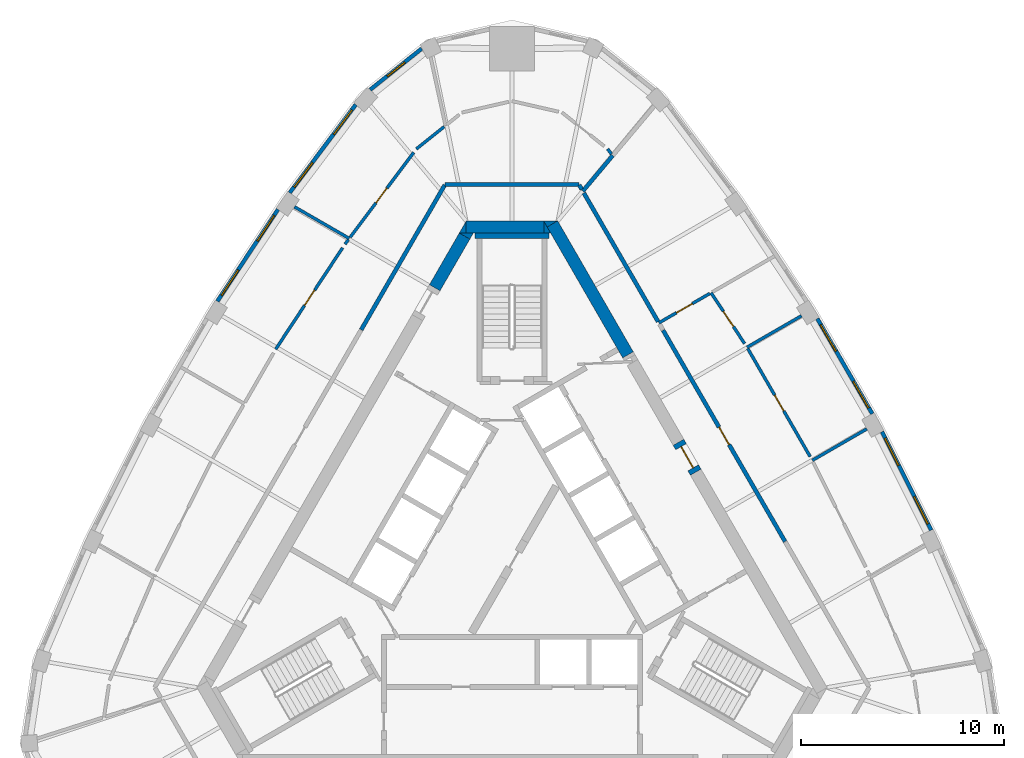
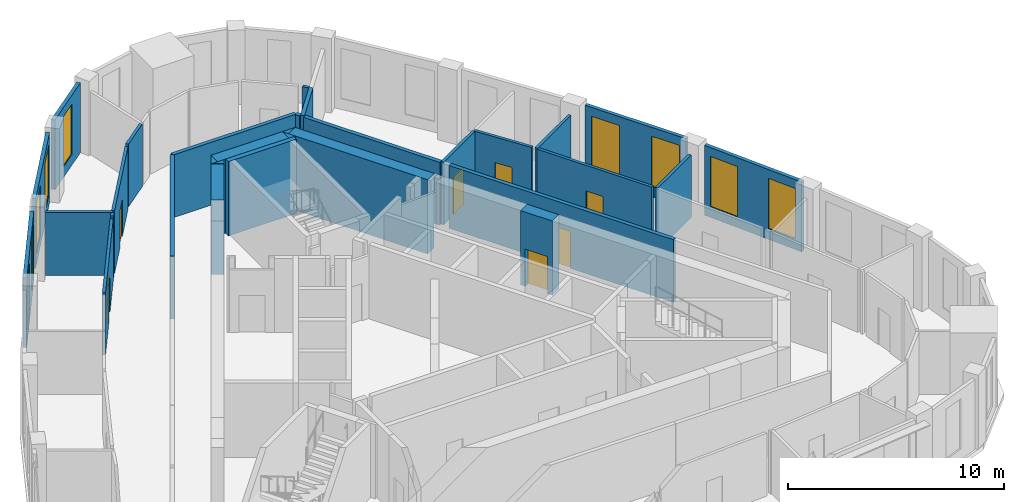
# One storey, part 8 of 10: 31 walls, 9 windows, 7 doors, 16 openings.
"""IFC4 building model written with IfcOpenShell, lengths in metres."""

from ifc_helpers import new_model, si_unit, direction, frame, frame_2d, origin, place, context, subcontext, project, spatial, polyline, rectangle, outline, extrude, material, layer, layer_set, type_object, element, fill, save


model = new_model("IFC4")

# Units and contexts
model_context = context("Model", 3, precision=1e-05, world=origin(), true_north=direction((0.0, 1.0)))
body_context = subcontext(model_context, "Body", "Model", "MODEL_VIEW")
ifc_project = project(units=[si_unit("LENGTHUNIT", "METRE"), si_unit("AREAUNIT", "SQUARE_METRE"), si_unit("VOLUMEUNIT", "CUBIC_METRE"), si_unit("PLANEANGLEUNIT", "RADIAN"), si_unit("MASSUNIT", "GRAM", prefix="KILO")], contexts=[model_context])

# Site, building, storey
site_placement = place(None, origin())
site = spatial("IfcSite", under=ifc_project, at=site_placement, CompositionType="ELEMENT")
building_placement = place(site_placement, origin())
building = spatial("IfcBuilding", under=site, at=building_placement, Name="Mestral Congress Tower", CompositionType="ELEMENT")
storey_placement = place(building_placement, frame((0.0, 0.0, 267.0)))
storey = spatial("IfcBuildingStorey", under=building, at=storey_placement, Name="L62", CompositionType="ELEMENT", Elevation=267.0)

# Walls
ifc_material_1 = material(Name="Concrete C60/75", Category="concrete")
ifc_layer_1 = layer(ifc_material_1, 0.60009765625)
ifc_layer_set_1 = layer_set([ifc_layer_1], Name="Concrete C60/75")
wall_type_1 = type_object("IfcWallType", Name="Core wall RC 600", PredefinedType="SOLIDWALL", material=ifc_layer_set_1)
wall_1_placement = place(storey_placement, frame((1.98876953125, 16.45556640625, 0.0), z_axis=(0.0, 0.0, 1.0), x_axis=(0.499990476767, -0.866030901956, 0.0)))
element("IfcWall", 1, at=wall_1_placement, inside=storey, type_object=wall_type_1, Name="L62 core wall", PredefinedType="SOLIDWALL", context=body_context, shape_type="SweptSolid", body=[
    extrude(rectangle(XDim=7.438232421875, YDim=0.60009765625, at=frame_2d((3.71923828125, 0.0))), origin(), (0.0, 0.0, 1.0), 4.199951171875),
])
placement = place(storey_placement, origin())
element("IfcWall", 2, at=placement, inside=storey, type_object=wall_type_1, Name="L62 core wall", PredefinedType="SOLIDWALL", context=body_context, shape_type="SweptSolid", body=[
    extrude(outline(polyline([(1.558837890625, 16.60009765625), (2.23486328125, 16.60009765625), (1.727783203125, 16.307373046875), (1.558837890625, 16.60009765625)])), origin(), (0.0, 0.0, 1.0), 4.199951171875),
])
wall_3_placement = place(storey_placement, frame((-2.258056640625, 16.300048828125, 0.0), z_axis=(0.0, 0.0, 1.0), x_axis=(1.0, 0.0, 0.0)))
element("IfcWall", 3, at=wall_3_placement, inside=storey, type_object=wall_type_1, Name="L62 core wall", PredefinedType="SOLIDWALL", context=body_context, shape_type="SweptSolid", body=[
    extrude(rectangle(XDim=3.8232421875, YDim=0.60009765625, at=frame_2d((1.91162109375, 0.0))), origin(), (0.0, 0.0, 1.0), 4.199951171875),
])
element("IfcWall", 4, at=placement, inside=storey, type_object=wall_type_1, Name="L62 core wall", PredefinedType="SOLIDWALL", context=body_context, shape_type="SweptSolid", body=[
    extrude(outline(polyline([(1.9052734375, 16.0), (1.5673828125, 16.0), (1.5673828125, 16.58544921875), (1.9052734375, 16.0)])), origin(), (0.0, 0.0, 1.0), 4.199951171875),
])
element("IfcWall", 5, at=placement, inside=storey, type_object=wall_type_1, Name="L62 core wall", PredefinedType="SOLIDWALL", context=body_context, shape_type="SweptSolid", body=[
    extrude(outline(polyline([(-2.59814453125, 16.0), (-2.260009765625, 16.58544921875), (-2.260009765625, 16.0), (-2.59814453125, 16.0)])), origin(), (0.0, 0.0, 1.0), 4.199951171875),
])
wall_6_placement = place(storey_placement, frame((-2.335205078125, 15.85546875, 0.0), z_axis=(0.0, 0.0, 1.0), x_axis=(-0.499960127962, -0.866048422692, 0.0)))
element("IfcWall", 6, at=wall_6_placement, inside=storey, type_object=wall_type_1, Name="L62 core wall", PredefinedType="SOLIDWALL", context=body_context, shape_type="SweptSolid", body=[
    extrude(rectangle(XDim=2.934326171875, YDim=0.60009765625, at=frame_2d((1.46728515625, 0.0))), origin(), (0.0, 0.0, 1.0), 4.199951171875),
])
element("IfcWall", 7, at=placement, inside=storey, type_object=wall_type_1, Name="L62 core wall", PredefinedType="SOLIDWALL", context=body_context, shape_type="SweptSolid", body=[
    extrude(outline(polyline([(-1.9052734375, 16.0), (-2.07421875, 15.707275390625), (-2.581298828125, 16.0), (-1.9052734375, 16.0)])), origin(), (0.0, 0.0, 1.0), 4.199951171875),
])

# Wall, opening, door
wall_8_placement = place(storey_placement, frame((8.19189453125, 5.711181640625, 0.0), z_axis=(0.0, 0.0, 1.0), x_axis=(0.500062241894, -0.865989465428, 0.0)))
wall_8 = element("IfcWall", 8, at=wall_8_placement, inside=storey, type_object=wall_type_1, Name="L62 door wall", PredefinedType="SOLIDWALL", context=body_context, shape_type="SweptSolid", body=[
    extrude(rectangle(XDim=1.699951171875, YDim=0.60009765625, at=frame_2d((0.85009765625, 0.0))), origin(), (0.0, 0.0, 1.0), 4.199951171875),
])
opening_1_placement = place(wall_8_placement, frame((0.25, 0.0, 0.0)))
opening_1 = element("IfcOpeningElement", 9, at=opening_1_placement, cuts=wall_8, Name="Opening XDL", PredefinedType="OPENING", context=body_context, shape_type="SweptSolid", body=[
    extrude(rectangle(XDim=1.199951171875, YDim=2.10009765625, at=frame_2d((0.60009765625, 1.050048828125))), frame((0.0, 0.31005859375, 0.0), z_axis=(0.0, -1.0, 0.0), x_axis=(1.0, 0.0, 0.0)), (0.0, 0.0, 1.0), 0.6201171875),
])
ifc_material_2 = material(Name="Fire-rated steel door set", Category="steel")
door_type_1 = type_object("IfcDoorType", Name="Core door XD 1200x2100", OperationType="SINGLE_SWING_LEFT", PredefinedType="DOOR", material=ifc_material_2)
door_1_placement = place(opening_1_placement, origin())
door_1 = element("IfcDoor", 10, at=door_1_placement, inside=storey, type_object=door_type_1, Name="Door XDL", OperationType="SINGLE_SWING_LEFT", OverallHeight=2.10009765625, OverallWidth=1.199951171875, PredefinedType="DOOR", context=body_context, shape_type="SweptSolid", body=[
    extrude(rectangle(XDim=1.199951171875, YDim=2.10009765625, at=frame_2d((0.60009765625, 1.050048828125))), frame((0.0, 0.02490234375, 0.0), z_axis=(0.0, -1.0, 0.0), x_axis=(1.0, 0.0, 0.0)), (0.0, 0.0, 1.0), 0.050048828125),
])
fill(opening_1, door_1)

# Wall, openings, windows
ifc_material_3 = material(Name="Precast concrete C40/50 with limestone facing", Category="masonry")
ifc_layer_2 = layer(ifc_material_3, 0.18994140625)
ifc_layer_set_2 = layer_set([ifc_layer_2], Name="Precast concrete C40/50 with limestone facing")
wall_type_2 = type_object("IfcWallType", Name="Facade stone wall 190", PredefinedType="SOLIDWALL", material=ifc_layer_set_2)
wall_9_placement = place(storey_placement, frame((20.625, 1.39208984375, 0.0), z_axis=(0.0, 0.0, 1.0), x_axis=(-0.447484531401, 0.894291671747, 0.0)))
wall_9 = element("IfcWall", 11, at=wall_9_placement, inside=storey, type_object=wall_type_2, Name="Facade wall F1-01", PredefinedType="SOLIDWALL", context=body_context, shape_type="SweptSolid", body=[
    extrude(rectangle(XDim=5.40625, YDim=0.18994140625, at=frame_2d((2.703125, 0.0))), origin(), (0.0, 0.0, 1.0), 3.949951171875),
])
opening_2_placement = place(wall_9_placement, frame((0.346435546875, 0.0, 0.60009765625)))
opening_2 = element("IfcOpeningElement", 12, at=opening_2_placement, cuts=wall_9, Name="Opening W6", PredefinedType="OPENING", context=body_context, shape_type="SweptSolid", body=[
    extrude(rectangle(XDim=1.5, YDim=2.85009765625, at=frame_2d((0.75, 1.425048828125))), frame((0.0, 0.10498046875, 0.0), z_axis=(0.0, -1.0, 0.0), x_axis=(1.0, 0.0, 0.0)), (0.0, 0.0, 1.0), 0.2099609375),
])
opening_3_placement = place(wall_9_placement, frame((3.559326171875, 0.0, 0.60009765625)))
opening_3 = element("IfcOpeningElement", 13, at=opening_3_placement, cuts=wall_9, Name="Opening W6", PredefinedType="OPENING", context=body_context, shape_type="SweptSolid", body=[
    extrude(rectangle(XDim=1.5, YDim=2.85009765625, at=frame_2d((0.75, 1.425048828125))), frame((0.0, 0.10498046875, 0.0), z_axis=(0.0, -1.0, 0.0), x_axis=(1.0, 0.0, 0.0)), (0.0, 0.0, 1.0), 0.2099609375),
])
ifc_material_4 = material(Name="Clear low-emissivity double glazing", Category="glass")
window_type_1 = type_object("IfcWindowType", Name="Facade punched window 1500 x 2850 sill 600", PartitioningType="SINGLE_PANEL", PredefinedType="WINDOW", material=ifc_material_4)
window_1_placement = place(opening_2_placement, origin())
window_1 = element("IfcWindow", 14, at=window_1_placement, inside=storey, type_object=window_type_1, Name="Window F1-01a", OverallHeight=2.85009765625, OverallWidth=1.5, PartitioningType="SINGLE_PANEL", PredefinedType="WINDOW", context=body_context, shape_type="SweptSolid", body=[
    extrude(rectangle(XDim=1.5, YDim=2.85009765625, at=frame_2d((0.75, 1.425048828125))), frame((0.0, 0.044921875, 0.0), z_axis=(0.0, -1.0, 0.0), x_axis=(1.0, 0.0, 0.0)), (0.0, 0.0, 1.0), 0.06005859375),
])
fill(opening_2, window_1)
window_2_placement = place(opening_3_placement, origin())
window_2 = element("IfcWindow", 15, at=window_2_placement, inside=storey, type_object=window_type_1, Name="Window F1-01b", OverallHeight=2.85009765625, OverallWidth=1.5, PartitioningType="SINGLE_PANEL", PredefinedType="WINDOW", context=body_context, shape_type="SweptSolid", body=[
    extrude(rectangle(XDim=1.5, YDim=2.85009765625, at=frame_2d((0.75, 1.425048828125))), frame((0.0, 0.044921875, 0.0), z_axis=(0.0, -1.0, 0.0), x_axis=(1.0, 0.0, 0.0)), (0.0, 0.0, 1.0), 0.06005859375),
])
fill(opening_3, window_2)

wall_10_placement = place(storey_placement, frame((17.728271484375, 7.1142578125, 0.0), z_axis=(0.0, 0.0, 1.0), x_axis=(-0.500024767483, 0.866011103799, 0.0)))
wall_10 = element("IfcWall", 16, at=wall_10_placement, inside=storey, type_object=wall_type_2, Name="Facade wall F1-02", PredefinedType="SOLIDWALL", context=body_context, shape_type="SweptSolid", body=[
    extrude(rectangle(XDim=5.406005859375, YDim=0.18994140625, at=frame_2d((2.703125, 0.0))), origin(), (0.0, 0.0, 1.0), 3.949951171875),
])
opening_4_placement = place(wall_10_placement, frame((0.346435546875, 0.0, 0.60009765625)))
opening_4 = element("IfcOpeningElement", 17, at=opening_4_placement, cuts=wall_10, Name="Opening W6", PredefinedType="OPENING", context=body_context, shape_type="SweptSolid", body=[
    extrude(rectangle(XDim=1.5, YDim=2.85009765625, at=frame_2d((0.75, 1.425048828125))), frame((0.0, 0.10498046875, 0.0), z_axis=(0.0, -1.0, 0.0), x_axis=(1.0, 0.0, 0.0)), (0.0, 0.0, 1.0), 0.2099609375),
])
opening_5_placement = place(wall_10_placement, frame((3.5595703125, 0.0, 0.60009765625)))
opening_5 = element("IfcOpeningElement", 18, at=opening_5_placement, cuts=wall_10, Name="Opening W6", PredefinedType="OPENING", context=body_context, shape_type="SweptSolid", body=[
    extrude(rectangle(XDim=1.5, YDim=2.85009765625, at=frame_2d((0.75, 1.425048828125))), frame((0.0, 0.10498046875, 0.0), z_axis=(0.0, -1.0, 0.0), x_axis=(1.0, 0.0, 0.0)), (0.0, 0.0, 1.0), 0.2099609375),
])
window_3_placement = place(opening_4_placement, origin())
window_3 = element("IfcWindow", 19, at=window_3_placement, inside=storey, type_object=window_type_1, Name="Window F1-02a", OverallHeight=2.85009765625, OverallWidth=1.5, PartitioningType="SINGLE_PANEL", PredefinedType="WINDOW", context=body_context, shape_type="SweptSolid", body=[
    extrude(rectangle(XDim=1.5, YDim=2.85009765625, at=frame_2d((0.75, 1.425048828125))), frame((0.0, 0.044921875, 0.0), z_axis=(0.0, -1.0, 0.0), x_axis=(1.0, 0.0, 0.0)), (0.0, 0.0, 1.0), 0.06005859375),
])
fill(opening_4, window_3)
window_4_placement = place(opening_5_placement, origin())
window_4 = element("IfcWindow", 20, at=window_4_placement, inside=storey, type_object=window_type_1, Name="Window F1-02b", OverallHeight=2.85009765625, OverallWidth=1.5, PartitioningType="SINGLE_PANEL", PredefinedType="WINDOW", context=body_context, shape_type="SweptSolid", body=[
    extrude(rectangle(XDim=1.5, YDim=2.85009765625, at=frame_2d((0.75, 1.425048828125))), frame((0.0, 0.044921875, 0.0), z_axis=(0.0, -1.0, 0.0), x_axis=(1.0, 0.0, 0.0)), (0.0, 0.0, 1.0), 0.06005859375),
])
fill(opening_5, window_4)

# Wall, opening, window
wall_11_placement = place(storey_placement, frame((-4.447509765625, 25.080078125, 0.0), z_axis=(0.0, 0.0, 1.0), x_axis=(-0.781626234064, -0.623747088349, 0.0)))
wall_11 = element("IfcWall", 21, at=wall_11_placement, inside=storey, type_object=wall_type_2, Name="Facade wall K1-3", PredefinedType="SOLIDWALL", context=body_context, shape_type="SweptSolid", body=[
    extrude(rectangle(XDim=3.236572265625, YDim=0.18994140625, at=frame_2d((1.6181640625, 0.0))), origin(), (0.0, 0.0, 1.0), 3.949951171875),
])
opening_6_placement = place(wall_11_placement, frame((1.068359375, 0.0, 0.60009765625)))
opening_6 = element("IfcOpeningElement", 22, at=opening_6_placement, cuts=wall_11, Name="Opening W7", PredefinedType="OPENING", context=body_context, shape_type="SweptSolid", body=[
    extrude(rectangle(XDim=1.10009765625, YDim=2.85009765625, at=frame_2d((0.550048828125, 1.425048828125))), frame((0.0, 0.10498046875, 0.0), z_axis=(0.0, -1.0, 0.0), x_axis=(1.0, 0.0, 0.0)), (0.0, 0.0, 1.0), 0.2099609375),
])
window_type_2 = type_object("IfcWindowType", Name="Facade punched window 1100 x 2850 sill 600", PartitioningType="SINGLE_PANEL", PredefinedType="WINDOW", material=ifc_material_4)
window_5_placement = place(opening_6_placement, origin())
window_5 = element("IfcWindow", 23, at=window_5_placement, inside=storey, type_object=window_type_2, Name="Window K1-3", OverallHeight=2.85009765625, OverallWidth=1.10009765625, PartitioningType="SINGLE_PANEL", PredefinedType="WINDOW", context=body_context, shape_type="SweptSolid", body=[
    extrude(rectangle(XDim=1.10009765625, YDim=2.85009765625, at=frame_2d((0.550048828125, 1.425048828125))), frame((0.0, 0.044921875, 0.0), z_axis=(0.0, -1.0, 0.0), x_axis=(1.0, 0.0, 0.0)), (0.0, 0.0, 1.0), 0.06005859375),
])
fill(opening_6, window_5)

# Wall, openings, windows
wall_12_placement = place(storey_placement, frame((-7.691650390625, 22.32373046875, 0.0), z_axis=(0.0, 0.0, 1.0), x_axis=(-0.599559865294, -0.800329911929, 0.0)))
wall_12 = element("IfcWall", 24, at=wall_12_placement, inside=storey, type_object=wall_type_2, Name="Facade wall F2-00", PredefinedType="SOLIDWALL", context=body_context, shape_type="SweptSolid", body=[
    extrude(rectangle(XDim=5.4150390625, YDim=0.18994140625, at=frame_2d((2.70751953125, 0.0))), origin(), (0.0, 0.0, 1.0), 3.949951171875),
])
opening_7_placement = place(wall_12_placement, frame((0.322509765625, 0.0, 0.60009765625)))
opening_7 = element("IfcOpeningElement", 25, at=opening_7_placement, cuts=wall_12, Name="Opening W6", PredefinedType="OPENING", context=body_context, shape_type="SweptSolid", body=[
    extrude(rectangle(XDim=1.5, YDim=2.85009765625, at=frame_2d((0.75, 1.425048828125))), frame((0.0, 0.10498046875, 0.0), z_axis=(0.0, -1.0, 0.0), x_axis=(1.0, 0.0, 0.0)), (0.0, 0.0, 1.0), 0.2099609375),
])
opening_8_placement = place(wall_12_placement, frame((3.5576171875, 0.0, 0.60009765625)))
opening_8 = element("IfcOpeningElement", 26, at=opening_8_placement, cuts=wall_12, Name="Opening W6", PredefinedType="OPENING", context=body_context, shape_type="SweptSolid", body=[
    extrude(rectangle(XDim=1.5, YDim=2.85009765625, at=frame_2d((0.75, 1.425048828125))), frame((0.0, 0.10498046875, 0.0), z_axis=(0.0, -1.0, 0.0), x_axis=(1.0, 0.0, 0.0)), (0.0, 0.0, 1.0), 0.2099609375),
])
window_6_placement = place(opening_7_placement, origin())
window_6 = element("IfcWindow", 27, at=window_6_placement, inside=storey, type_object=window_type_1, Name="Window F2-00a", OverallHeight=2.85009765625, OverallWidth=1.5, PartitioningType="SINGLE_PANEL", PredefinedType="WINDOW", context=body_context, shape_type="SweptSolid", body=[
    extrude(rectangle(XDim=1.5, YDim=2.85009765625, at=frame_2d((0.75, 1.425048828125))), frame((0.0, 0.044921875, 0.0), z_axis=(0.0, -1.0, 0.0), x_axis=(1.0, 0.0, 0.0)), (0.0, 0.0, 1.0), 0.06005859375),
])
fill(opening_7, window_6)
window_7_placement = place(opening_8_placement, origin())
window_7 = element("IfcWindow", 28, at=window_7_placement, inside=storey, type_object=window_type_1, Name="Window F2-00b", OverallHeight=2.85009765625, OverallWidth=1.5, PartitioningType="SINGLE_PANEL", PredefinedType="WINDOW", context=body_context, shape_type="SweptSolid", body=[
    extrude(rectangle(XDim=1.5, YDim=2.85009765625, at=frame_2d((0.75, 1.425048828125))), frame((0.0, 0.044921875, 0.0), z_axis=(0.0, -1.0, 0.0), x_axis=(1.0, 0.0, 0.0)), (0.0, 0.0, 1.0), 0.06005859375),
])
fill(opening_8, window_7)

wall_13_placement = place(storey_placement, frame((-11.518310546875, 17.16552734375, 0.0), z_axis=(0.0, 0.0, 1.0), x_axis=(-0.550744054781, -0.83467417962, 0.0)))
wall_13 = element("IfcWall", 29, at=wall_13_placement, inside=storey, type_object=wall_type_2, Name="Facade wall F2-01", PredefinedType="SOLIDWALL", context=body_context, shape_type="SweptSolid", body=[
    extrude(rectangle(XDim=5.406005859375, YDim=0.18994140625, at=frame_2d((2.703125, 0.0))), origin(), (0.0, 0.0, 1.0), 3.949951171875),
])
opening_9_placement = place(wall_13_placement, frame((0.346435546875, 0.0, 0.60009765625)))
opening_9 = element("IfcOpeningElement", 30, at=opening_9_placement, cuts=wall_13, Name="Opening W6", PredefinedType="OPENING", context=body_context, shape_type="SweptSolid", body=[
    extrude(rectangle(XDim=1.5, YDim=2.85009765625, at=frame_2d((0.75, 1.425048828125))), frame((0.0, 0.10498046875, 0.0), z_axis=(0.0, -1.0, 0.0), x_axis=(1.0, 0.0, 0.0)), (0.0, 0.0, 1.0), 0.2099609375),
])
opening_10_placement = place(wall_13_placement, frame((3.559326171875, 0.0, 0.60009765625)))
opening_10 = element("IfcOpeningElement", 31, at=opening_10_placement, cuts=wall_13, Name="Opening W6", PredefinedType="OPENING", context=body_context, shape_type="SweptSolid", body=[
    extrude(rectangle(XDim=1.5, YDim=2.85009765625, at=frame_2d((0.75, 1.425048828125))), frame((0.0, 0.10498046875, 0.0), z_axis=(0.0, -1.0, 0.0), x_axis=(1.0, 0.0, 0.0)), (0.0, 0.0, 1.0), 0.2099609375),
])
window_8_placement = place(opening_9_placement, origin())
window_8 = element("IfcWindow", 32, at=window_8_placement, inside=storey, type_object=window_type_1, Name="Window F2-01a", OverallHeight=2.85009765625, OverallWidth=1.5, PartitioningType="SINGLE_PANEL", PredefinedType="WINDOW", context=body_context, shape_type="SweptSolid", body=[
    extrude(rectangle(XDim=1.5, YDim=2.85009765625, at=frame_2d((0.75, 1.425048828125))), frame((0.0, 0.044921875, 0.0), z_axis=(0.0, -1.0, 0.0), x_axis=(1.0, 0.0, 0.0)), (0.0, 0.0, 1.0), 0.06005859375),
])
fill(opening_9, window_8)
window_9_placement = place(opening_10_placement, origin())
window_9 = element("IfcWindow", 33, at=window_9_placement, inside=storey, type_object=window_type_1, Name="Window F2-01b", OverallHeight=2.85009765625, OverallWidth=1.5, PartitioningType="SINGLE_PANEL", PredefinedType="WINDOW", context=body_context, shape_type="SweptSolid", body=[
    extrude(rectangle(XDim=1.5, YDim=2.85009765625, at=frame_2d((0.75, 1.425048828125))), frame((0.0, 0.044921875, 0.0), z_axis=(0.0, -1.0, 0.0), x_axis=(1.0, 0.0, 0.0)), (0.0, 0.0, 1.0), 0.06005859375),
])
fill(opening_10, window_9)

# Walls
ifc_material_5 = material(Name="Plasterboard partition on steel studs", Category="steel")
ifc_layer_3 = layer(ifc_material_5, 0.14990234375)
ifc_layer_set_3 = layer_set([ifc_layer_3], Name="Plasterboard partition on steel studs")
wall_type_3 = type_object("IfcWallType", Name="Office partition 150", PredefinedType="PARTITIONING", material=ifc_layer_set_3)
for number, where, z_axis, x_axis, name in (
    (34, (14.77734375, 4.821533203125, 0.0), (0.0, 0.0, 1.0), (0.865992557167, 0.500056887695, 0.0), "Partition"),
    (35, (11.564208984375, 10.38671875, 0.0), (0.0, 0.0, 1.0), (0.86604641216, 0.499963610661, 0.0), "Partition"),
):
    element("IfcWall", number, at=place(storey_placement, frame(where, z_axis=z_axis, x_axis=x_axis)), inside=storey, type_object=wall_type_3, Name=name, PredefinedType="PARTITIONING", context=body_context, shape_type="SweptSolid", body=[
        extrude(rectangle(XDim=3.096435546875, YDim=0.14990234375, at=frame_2d((1.54833984375, 0.0))), origin(), (0.0, 0.0, 1.0), 3.550048828125),
    ])

# Wall, opening, door
wall_14_placement = place(storey_placement, frame((11.601806640625, 10.32177734375, 0.0), z_axis=(0.0, 0.0, 1.0), x_axis=(0.499989914735, -0.866031226437, 0.0)))
wall_14 = element("IfcWall", 36, at=wall_14_placement, inside=storey, type_object=wall_type_3, Name="Partition", PredefinedType="PARTITIONING", context=body_context, shape_type="SweptSolid", body=[
    extrude(rectangle(XDim=6.136962890625, YDim=0.14990234375, at=frame_2d((3.068359375, 0.0))), origin(), (0.0, 0.0, 1.0), 3.550048828125),
])
opening_11_placement = place(wall_14_placement, frame((2.63671875, 0.0, 0.0)))
opening_11 = element("IfcOpeningElement", 37, at=opening_11_placement, cuts=wall_14, Name="Opening O11-009", PredefinedType="OPENING", context=body_context, shape_type="SweptSolid", body=[
    extrude(rectangle(XDim=0.89990234375, YDim=2.10009765625, at=frame_2d((0.449951171875, 1.050048828125))), frame((0.0, 0.0849609375, 0.0), z_axis=(0.0, -1.0, 0.0), x_axis=(1.0, 0.0, 0.0)), (0.0, 0.0, 1.0), 0.169921875),
])
ifc_material_6 = material(Name="Timber door set", Category="wood")
door_type_2 = type_object("IfcDoorType", Name="Office door 900x2100", OperationType="SINGLE_SWING_LEFT", PredefinedType="DOOR", material=ifc_material_6)
door_2_placement = place(opening_11_placement, origin())
door_2 = element("IfcDoor", 38, at=door_2_placement, inside=storey, type_object=door_type_2, Name="Door O11-009", OperationType="SINGLE_SWING_RIGHT", OverallHeight=2.10009765625, OverallWidth=0.89990234375, PredefinedType="DOOR", context=body_context, shape_type="SweptSolid", body=[
    extrude(rectangle(XDim=0.89990234375, YDim=2.10009765625, at=frame_2d((0.449951171875, 1.050048828125))), frame((0.0, 0.02490234375, 0.0), z_axis=(0.0, -1.0, 0.0), x_axis=(1.0, 0.0, 0.0)), (0.0, 0.0, 1.0), 0.050048828125),
])
fill(opening_11, door_2)

wall_15_placement = place(storey_placement, frame((9.794677734375, 13.068359375, 0.0), z_axis=(0.0, 0.0, 1.0), x_axis=(0.550767347659, -0.834658809786, 0.0)))
wall_15 = element("IfcWall", 39, at=wall_15_placement, inside=storey, type_object=wall_type_3, Name="Partition", PredefinedType="PARTITIONING", context=body_context, shape_type="SweptSolid", body=[
    extrude(rectangle(XDim=2.998779296875, YDim=0.14990234375, at=frame_2d((1.49951171875, 0.0))), origin(), (0.0, 0.0, 1.0), 3.550048828125),
])
opening_12_placement = place(wall_15_placement, frame((1.0986328125, 0.0, 0.0)))
opening_12 = element("IfcOpeningElement", 40, at=opening_12_placement, cuts=wall_15, Name="Opening O11-010", PredefinedType="OPENING", context=body_context, shape_type="SweptSolid", body=[
    extrude(rectangle(XDim=0.89990234375, YDim=2.10009765625, at=frame_2d((0.449951171875, 1.050048828125))), frame((0.0, 0.0849609375, 0.0), z_axis=(0.0, -1.0, 0.0), x_axis=(1.0, 0.0, 0.0)), (0.0, 0.0, 1.0), 0.169921875),
])
door_3_placement = place(opening_12_placement, origin())
door_3 = element("IfcDoor", 41, at=door_3_placement, inside=storey, type_object=door_type_2, Name="Door O11-010", OperationType="SINGLE_SWING_RIGHT", OverallHeight=2.10009765625, OverallWidth=0.89990234375, PredefinedType="DOOR", context=body_context, shape_type="SweptSolid", body=[
    extrude(rectangle(XDim=0.89990234375, YDim=2.10009765625, at=frame_2d((0.449951171875, 1.050048828125))), frame((0.0, 0.02490234375, 0.0), z_axis=(0.0, -1.0, 0.0), x_axis=(1.0, 0.0, 0.0)), (0.0, 0.0, 1.0), 0.050048828125),
])
fill(opening_12, door_3)

wall_16_placement = place(storey_placement, frame((7.2255859375, 11.585205078125, 0.0), z_axis=(0.0, 0.0, 1.0), x_axis=(0.866021079084, 0.500007490527, 0.0)))
wall_16 = element("IfcWall", 42, at=wall_16_placement, inside=storey, type_object=wall_type_3, Name="Partition", PredefinedType="PARTITIONING", context=body_context, shape_type="SweptSolid", body=[
    extrude(rectangle(XDim=2.8916015625, YDim=0.14990234375, at=frame_2d((1.44580078125, 0.0))), origin(), (0.0, 0.0, 1.0), 3.550048828125),
])
opening_13_placement = place(wall_16_placement, frame((1.0, 0.0, 0.0)))
opening_13 = element("IfcOpeningElement", 43, at=opening_13_placement, cuts=wall_16, Name="Opening O11-012", PredefinedType="OPENING", context=body_context, shape_type="SweptSolid", body=[
    extrude(rectangle(XDim=0.89990234375, YDim=2.10009765625, at=frame_2d((0.449951171875, 1.050048828125))), frame((0.0, 0.0849609375, 0.0), z_axis=(0.0, -1.0, 0.0), x_axis=(1.0, 0.0, 0.0)), (0.0, 0.0, 1.0), 0.169921875),
])
door_4_placement = place(opening_13_placement, origin())
door_4 = element("IfcDoor", 44, at=door_4_placement, inside=storey, type_object=door_type_2, Name="Door O11-012", OperationType="SINGLE_SWING_RIGHT", OverallHeight=2.10009765625, OverallWidth=0.89990234375, PredefinedType="DOOR", context=body_context, shape_type="SweptSolid", body=[
    extrude(rectangle(XDim=0.89990234375, YDim=2.10009765625, at=frame_2d((0.449951171875, 1.050048828125))), frame((0.0, 0.02490234375, 0.0), z_axis=(0.0, -1.0, 0.0), x_axis=(1.0, 0.0, 0.0)), (0.0, 0.0, 1.0), 0.050048828125),
])
fill(opening_13, door_4)

# Walls
wall_17_placement = place(storey_placement, frame((4.89111328125, 19.8994140625, 0.0), z_axis=(0.0, 0.0, 1.0), x_axis=(-0.6, 0.8, 0.0)))
element("IfcWall", 45, at=wall_17_placement, inside=storey, type_object=wall_type_3, Name="Partition", PredefinedType="PARTITIONING", context=body_context, shape_type="SweptSolid", body=[
    extrude(rectangle(XDim=0.308837890625, YDim=0.14990234375, at=frame_2d((0.154296875, 0.0))), origin(), (0.0, 0.0, 1.0), 3.550048828125),
])
wall_18_placement = place(storey_placement, frame((-8.007080078125, 15.73974609375, 0.0), z_axis=(0.0, 0.0, 1.0), x_axis=(-0.866044607523, 0.499966736674, 0.0)))
element("IfcWall", 46, at=wall_18_placement, inside=storey, type_object=wall_type_3, Name="Partition", PredefinedType="PARTITIONING", context=body_context, shape_type="SweptSolid", body=[
    extrude(rectangle(XDim=3.114501953125, YDim=0.14990234375, at=frame_2d((1.55712890625, 0.0))), origin(), (0.0, 0.0, 1.0), 3.550048828125),
])
wall_19_placement = place(storey_placement, frame((-3.337158203125, 21.239013671875, 0.0), z_axis=(0.0, 0.0, 1.0), x_axis=(-0.781534814884, -0.62386162979, 0.0)))
element("IfcWall", 47, at=wall_19_placement, inside=storey, type_object=wall_type_3, Name="Partition", PredefinedType="PARTITIONING", context=body_context, shape_type="SweptSolid", body=[
    extrude(rectangle(XDim=1.751220703125, YDim=0.14990234375, at=frame_2d((0.87548828125, 0.0))), origin(), (0.0, 0.0, 1.0), 3.550048828125),
])

# Wall, opening, door
wall_20_placement = place(storey_placement, frame((-7.9619140625, 15.800048828125, 0.0), z_axis=(0.0, 0.0, 1.0), x_axis=(0.599528135832, 0.800353680785, 0.0)))
wall_20 = element("IfcWall", 48, at=wall_20_placement, inside=storey, type_object=wall_type_3, Name="Partition", PredefinedType="PARTITIONING", context=body_context, shape_type="SweptSolid", body=[
    extrude(rectangle(XDim=5.216552734375, YDim=0.14990234375, at=frame_2d((2.6083984375, 0.0))), origin(), (0.0, 0.0, 1.0), 3.550048828125),
])
opening_14_placement = place(wall_20_placement, frame((2.116455078125, 0.0, 0.0)))
opening_14 = element("IfcOpeningElement", 49, at=opening_14_placement, cuts=wall_20, Name="Opening O11-014", PredefinedType="OPENING", context=body_context, shape_type="SweptSolid", body=[
    extrude(rectangle(XDim=0.89990234375, YDim=2.10009765625, at=frame_2d((0.449951171875, 1.050048828125))), frame((0.0, 0.0849609375, 0.0), z_axis=(0.0, -1.0, 0.0), x_axis=(1.0, 0.0, 0.0)), (0.0, 0.0, 1.0), 0.169921875),
])
door_5_placement = place(opening_14_placement, origin())
door_5 = element("IfcDoor", 50, at=door_5_placement, inside=storey, type_object=door_type_2, Name="Door O11-014", OperationType="SINGLE_SWING_LEFT", OverallHeight=2.10009765625, OverallWidth=0.89990234375, PredefinedType="DOOR", context=body_context, shape_type="SweptSolid", body=[
    extrude(rectangle(XDim=0.89990234375, YDim=2.10009765625, at=frame_2d((0.449951171875, 1.050048828125))), frame((0.0, 0.02490234375, 0.0), z_axis=(0.0, -1.0, 0.0), x_axis=(1.0, 0.0, 0.0)), (0.0, 0.0, 1.0), 0.050048828125),
])
fill(opening_14, door_5)

# Wall
wall_21_placement = place(storey_placement, frame((-8.052490234375, 15.67919921875, 0.0), z_axis=(0.0, 0.0, 1.0), x_axis=(-0.599004157744, -0.800745914136, 0.0)))
element("IfcWall", 51, at=wall_21_placement, inside=storey, type_object=wall_type_3, Name="Partition", PredefinedType="PARTITIONING", context=body_context, shape_type="SweptSolid", body=[
    extrude(rectangle(XDim=0.274658203125, YDim=0.14990234375, at=frame_2d((0.13720703125, 0.0))), origin(), (0.0, 0.0, 1.0), 3.550048828125),
])

# Wall, opening, door
wall_22_placement = place(storey_placement, frame((-11.62841796875, 10.28955078125, 0.0), z_axis=(0.0, 0.0, 1.0), x_axis=(0.55074607557, 0.834672846236, 0.0)))
wall_22 = element("IfcWall", 52, at=wall_22_placement, inside=storey, type_object=wall_type_3, Name="Partition", PredefinedType="PARTITIONING", context=body_context, shape_type="SweptSolid", body=[
    extrude(rectangle(XDim=5.9794921875, YDim=0.14990234375, at=frame_2d((2.98974609375, 0.0))), origin(), (0.0, 0.0, 1.0), 3.550048828125),
])
opening_15_placement = place(wall_22_placement, frame((2.57958984375, 0.0, 0.0)))
opening_15 = element("IfcOpeningElement", 53, at=opening_15_placement, cuts=wall_22, Name="Opening O11-015", PredefinedType="OPENING", context=body_context, shape_type="SweptSolid", body=[
    extrude(rectangle(XDim=0.89990234375, YDim=2.10009765625, at=frame_2d((0.449951171875, 1.050048828125))), frame((0.0, 0.0849609375, 0.0), z_axis=(0.0, -1.0, 0.0), x_axis=(1.0, 0.0, 0.0)), (0.0, 0.0, 1.0), 0.169921875),
])
door_6_placement = place(opening_15_placement, origin())
door_6 = element("IfcDoor", 54, at=door_6_placement, inside=storey, type_object=door_type_2, Name="Door O11-015", OperationType="SINGLE_SWING_RIGHT", OverallHeight=2.10009765625, OverallWidth=0.89990234375, PredefinedType="DOOR", context=body_context, shape_type="SweptSolid", body=[
    extrude(rectangle(XDim=0.89990234375, YDim=2.10009765625, at=frame_2d((0.449951171875, 1.050048828125))), frame((0.0, 0.02490234375, 0.0), z_axis=(0.0, -1.0, 0.0), x_axis=(1.0, 0.0, 0.0)), (0.0, 0.0, 1.0), 0.050048828125),
])
fill(opening_15, door_6)

ifc_material_7 = material(Name="Dense masonry wall, plastered", Category="masonry")
ifc_layer_4 = layer(ifc_material_7, 0.199951171875)
ifc_layer_set_4 = layer_set([ifc_layer_4], Name="Dense masonry wall, plastered")
wall_type_4 = type_object("IfcWallType", Name="Office tenancy wall 200", PredefinedType="PARTITIONING", material=ifc_layer_set_4)
wall_23_placement = place(storey_placement, frame((13.435546875, 0.828857421875, 0.0), z_axis=(0.0, 0.0, 1.0), x_axis=(-0.49999894854, 0.866026010844, 0.0)))
wall_23 = element("IfcWall", 55, at=wall_23_placement, inside=storey, type_object=wall_type_4, Name="Tenancy wall", PredefinedType="PARTITIONING", context=body_context, shape_type="SweptSolid", body=[
    extrude(rectangle(XDim=12.0, YDim=0.199951171875, at=frame_2d((6.0, 0.0))), origin(), (0.0, 0.0, 1.0), 3.550048828125),
])
opening_16_placement = place(wall_23_placement, frame((5.5, 0.0, 0.0)))
opening_16 = element("IfcOpeningElement", 56, at=opening_16_placement, cuts=wall_23, Name="Opening O11-011", PredefinedType="OPENING", context=body_context, shape_type="SweptSolid", body=[
    extrude(rectangle(XDim=1.0, YDim=2.10009765625, at=frame_2d((0.5, 1.050048828125))), frame((0.0, 0.10986328125, 0.0), z_axis=(0.0, -1.0, 0.0), x_axis=(1.0, 0.0, 0.0)), (0.0, 0.0, 1.0), 0.219970703125),
])
ifc_material_8 = material(Name="Fire-rated timber door set", Category="wood")
door_type_3 = type_object("IfcDoorType", Name="Office tenancy entrance door 1000x2100", OperationType="SINGLE_SWING_LEFT", PredefinedType="DOOR", material=ifc_material_8)
door_7_placement = place(opening_16_placement, origin())
door_7 = element("IfcDoor", 57, at=door_7_placement, inside=storey, type_object=door_type_3, Name="Door O11-011", OperationType="SINGLE_SWING_RIGHT", OverallHeight=2.10009765625, OverallWidth=1.0, PredefinedType="DOOR", context=body_context, shape_type="SweptSolid", body=[
    extrude(rectangle(XDim=1.0, YDim=2.10009765625, at=frame_2d((0.5, 1.050048828125))), frame((0.0, 0.02490234375, 0.0), z_axis=(0.0, -1.0, 0.0), x_axis=(1.0, 0.0, 0.0)), (0.0, 0.0, 1.0), 0.050048828125),
])
fill(opening_16, door_7)

# Walls
wall_24_placement = place(storey_placement, frame((3.483154296875, 18.06689453125, 0.0), z_axis=(0.0, 0.0, 1.0), x_axis=(0.642896944312, 0.765952687177, 0.0)))
element("IfcWall", 58, at=wall_24_placement, inside=storey, type_object=wall_type_4, Name="Tenancy wall", PredefinedType="PARTITIONING", context=body_context, shape_type="SweptSolid", body=[
    extrude(rectangle(XDim=2.28955078125, YDim=0.199951171875, at=frame_2d((1.144775390625, 0.0))), origin(), (0.0, 0.0, 1.0), 3.550048828125),
])
wall_25_placement = place(storey_placement, frame((7.18798828125, 11.64990234375, 0.0), z_axis=(0.0, 0.0, 1.0), x_axis=(-0.499989634868, 0.866031388014, 0.0)))
element("IfcWall", 59, at=wall_25_placement, inside=storey, type_object=wall_type_4, Name="Tenancy wall", PredefinedType="PARTITIONING", context=body_context, shape_type="SweptSolid", body=[
    extrude(rectangle(XDim=7.303466796875, YDim=0.199951171875, at=frame_2d((3.65185546875, 0.0))), origin(), (0.0, 0.0, 1.0), 3.550048828125),
])
wall_26_placement = place(storey_placement, frame((3.291015625, 18.39990234375, 0.0), z_axis=(0.0, 0.0, 1.0), x_axis=(-1.0, 0.0, 0.0)))
element("IfcWall", 60, at=wall_26_placement, inside=storey, type_object=wall_type_4, Name="Tenancy wall", PredefinedType="PARTITIONING", context=body_context, shape_type="SweptSolid", body=[
    extrude(rectangle(XDim=6.58203125, YDim=0.199951171875, at=frame_2d((3.291015625, 0.0))), origin(), (0.0, 0.0, 1.0), 3.550048828125),
])
wall_27_placement = place(storey_placement, frame((-3.305908203125, 18.3740234375, 0.0), z_axis=(0.0, 0.0, 1.0), x_axis=(-0.499999798456, -0.866025520146, 0.0)))
element("IfcWall", 61, at=wall_27_placement, inside=storey, type_object=wall_type_4, Name="Tenancy wall", PredefinedType="PARTITIONING", context=body_context, shape_type="SweptSolid", body=[
    extrude(rectangle(XDim=8.2294921875, YDim=0.199951171875, at=frame_2d((4.11474609375, 0.0))), origin(), (0.0, 0.0, 1.0), 3.550048828125),
])
wall_28_placement = place(storey_placement, frame((3.429931640625, 18.1591796875, 0.0), z_axis=(0.0, 0.0, 1.0), x_axis=(-0.499949632511, 0.866054481515, 0.0)))
element("IfcWall", 62, at=wall_28_placement, inside=storey, type_object=wall_type_4, Name="Tenancy wall", PredefinedType="PARTITIONING", context=body_context, shape_type="SweptSolid", body=[
    extrude(rectangle(XDim=0.248046875, YDim=0.199951171875, at=frame_2d((0.1240234375, 0.0))), origin(), (0.0, 0.0, 1.0), 3.550048828125),
])
ifc_layer_5 = layer(ifc_material_1, 0.25)
ifc_layer_set_5 = layer_set([ifc_layer_5], Name="Concrete C60/75")
wall_type_5 = type_object("IfcWallType", Name="Stair wall RC 250", PredefinedType="SOLIDWALL", material=ifc_layer_set_5)
wall_29_placement = place(storey_placement, frame((-1.81689453125, 15.875, 0.0), z_axis=(0.0, 0.0, 1.0), x_axis=(1.0, 0.0, 0.0)))
element("IfcWall", 63, at=wall_29_placement, inside=storey, type_object=wall_type_5, Name="L62 core wall", PredefinedType="SOLIDWALL", context=body_context, shape_type="SweptSolid", body=[
    extrude(rectangle(XDim=3.6337890625, YDim=0.25, at=frame_2d((1.81689453125, 0.0))), origin(), (0.0, 0.0, 1.0), 4.199951171875),
])

save(model, "model.ifc")
